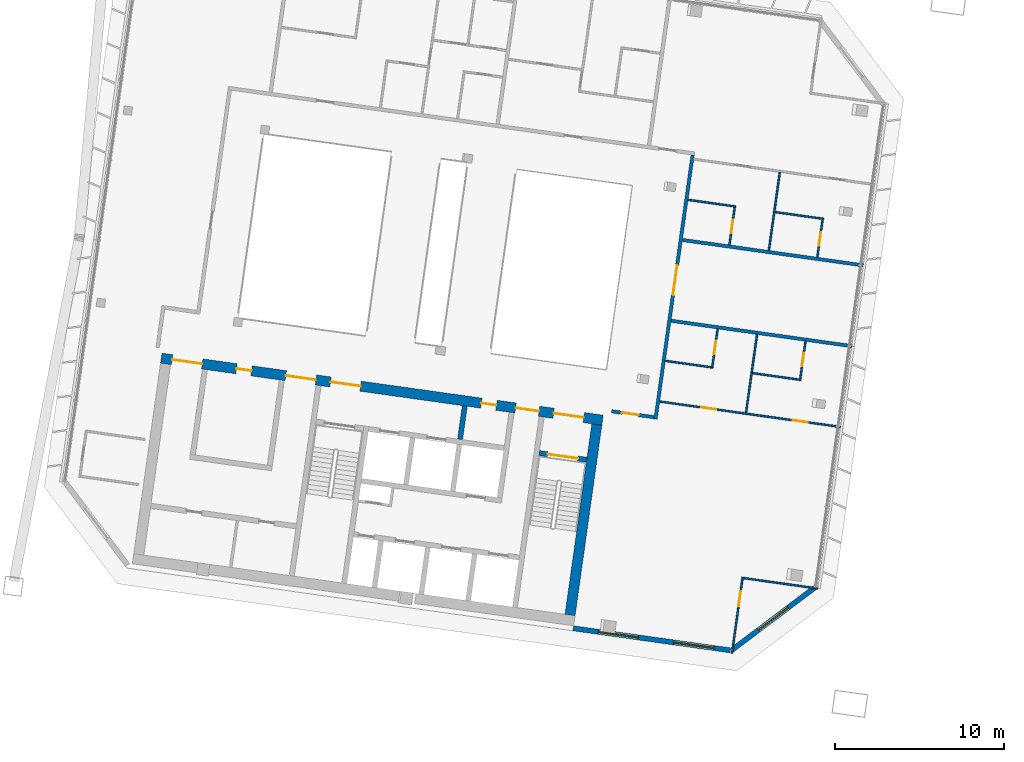
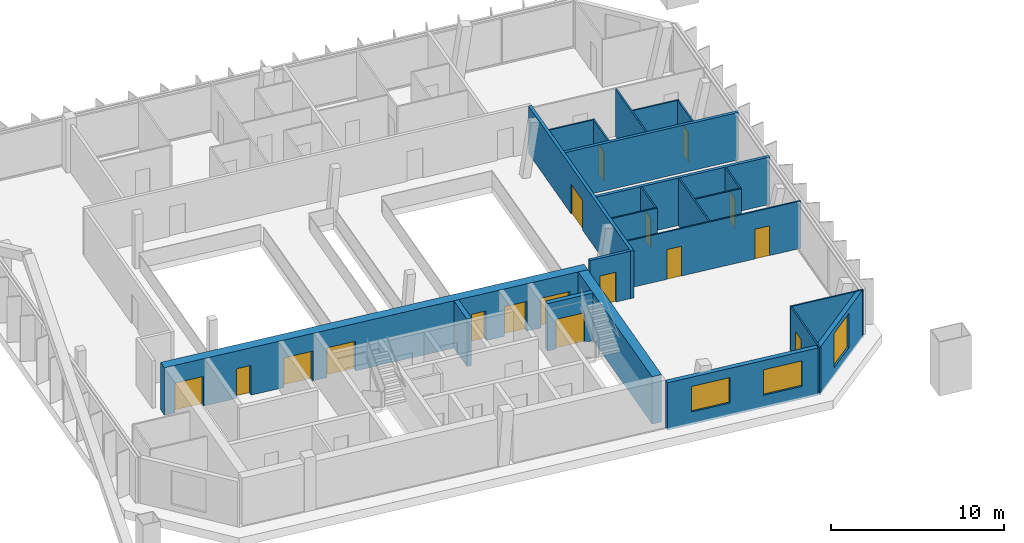
# One storey, part 12 of 19: 23 walls, 17 doors, 3 windows, 20 openings.
"""IFC4 building model written with IfcOpenShell, lengths in metres."""

import ifcopenshell
import ifcopenshell.guid

model = None  # the IFC model being written
_history = None  # IfcOwnerHistory: only IFC2X3 demands one
_inside = {}  # id of a spatial element -> (the spatial element, [elements in it])
_under = {}  # id of a project, library or spatial element -> (it, [spatial elements below it])
_declared = {}  # id of a project -> (the project, [libraries it declares])
_typed = {}  # id of a type object -> (the type object, [elements of that type])
_made_of = {}  # id of a material, layer set ... -> (it, [elements and type objects made of it])


def new_model(schema):
    """Start an empty IFC model of exactly this schema.

    Asked for "IFC4X3", IfcOpenShell would pick the latest addendum, in which some entities
    have other attributes; the version numbers below select the first issue.
    IFC2X3 requires an IfcOwnerHistory on every rooted entity: one is made here for all.
    """
    global model, _history
    if schema == "IFC4X3":
        model = ifcopenshell.file(schema_version=(4, 3, 0, 0))
    else:
        model = ifcopenshell.file(schema=schema)
    _inside.clear()
    _under.clear()
    _declared.clear()
    _typed.clear()
    _made_of.clear()
    _history = None
    if model.schema == "IFC2X3":
        org = make("IfcOrganization", Name="unknown")
        user = make(
            "IfcPersonAndOrganization",
            ThePerson=make("IfcPerson", FamilyName="unknown"),
            TheOrganization=org,
        )
        app = make(
            "IfcApplication",
            ApplicationDeveloper=org,
            Version="unknown",
            ApplicationFullName="unknown",
            ApplicationIdentifier="unknown",
        )
        _history = make(
            "IfcOwnerHistory",
            OwningUser=user,
            OwningApplication=app,
            ChangeAction="ADDED",
            CreationDate=0,
        )
    return model


def make(cls, **values):
    """One entity of the class cls with the attributes given. An attribute that is None is left unset."""
    return model.create_entity(
        cls, **{name: value for name, value in values.items() if value is not None}
    )


def rooted(cls, **values):
    """An entity with a GlobalId (a new one), such as an element, a storey or a relation."""
    return make(cls, GlobalId=ifcopenshell.guid.new(), OwnerHistory=_history, **values)


def si_unit(unit_type, name, prefix=None):
    """IfcSIUnit, for example si_unit("LENGTHUNIT", "METRE", prefix="MILLI")."""
    return make("IfcSIUnit", UnitType=unit_type, Prefix=prefix, Name=name)


def assignment(units):
    """IfcUnitAssignment: the units of a project."""
    return None if units is None else make("IfcUnitAssignment", Units=units)


def point(xyz):
    """IfcCartesianPoint."""
    return None if xyz is None else make("IfcCartesianPoint", Coordinates=xyz)


def direction(xyz):
    """IfcDirection."""
    return None if xyz is None else make("IfcDirection", DirectionRatios=xyz)


def frame(location, z_axis=None, x_axis=None):
    """IfcAxis2Placement3D, a coordinate frame: its origin and axes. An axis left out is left unset."""
    return make(
        "IfcAxis2Placement3D",
        Location=point(location),
        Axis=direction(z_axis),
        RefDirection=direction(x_axis),
    )


def frame_2d(location, x_axis=None):
    """IfcAxis2Placement2D, a coordinate frame in the plane: its origin and x axis."""
    return make(
        "IfcAxis2Placement2D", Location=point(location), RefDirection=direction(x_axis)
    )


def origin():
    """The frame at (0, 0, 0) with its axes left unset."""
    return frame((0.0, 0.0, 0.0))


def place(relative_to, where):
    """IfcLocalPlacement: puts the frame where relative to a parent placement (None: the world)."""
    return make(
        "IfcLocalPlacement", PlacementRelTo=relative_to, RelativePlacement=where
    )


def context(
    kind, dimensions, precision=None, world=None, true_north=None, identifier=None
):
    """IfcGeometricRepresentationContext, for example the 3D "Model" context."""
    return make(
        "IfcGeometricRepresentationContext",
        ContextIdentifier=identifier,
        ContextType=kind,
        CoordinateSpaceDimension=dimensions,
        Precision=precision,
        WorldCoordinateSystem=world,
        TrueNorth=true_north,
    )


def subcontext(parent, identifier, kind, view, scale=None):
    """IfcGeometricRepresentationSubContext, for example "Body" below "Model"."""
    return make(
        "IfcGeometricRepresentationSubContext",
        ContextIdentifier=identifier,
        ContextType=kind,
        ParentContext=parent,
        TargetScale=scale,
        TargetView=view,
    )


def project(units=None, contexts=None):
    """IfcProject with its units and contexts."""
    return rooted(
        "IfcProject",
        Name="project",
        RepresentationContexts=contexts,
        UnitsInContext=assignment(units),
    )


def spatial(cls, under=None, at=None, **own):
    """A site, building, storey or space (cls), placed at a placement, below another one or the project."""
    s = rooted(cls, ObjectPlacement=at, **own)
    if under is not None:
        _under.setdefault(under.id(), (under, []))[1].append(s)
    return s


def profile(cls, at=None, kind="AREA", **sizes):
    """A parametric profile (cls). Its sizes go by their IFC names, for example OverallWidth=200.0."""
    return make(cls, ProfileType=kind, Position=at, **sizes)


def rectangle(**sizes):
    """IfcRectangleProfileDef."""
    return profile("IfcRectangleProfileDef", **sizes)


def extrude(swept, where, along, depth):
    """IfcExtrudedAreaSolid: the profile swept, set in the frame where, extruded along a direction by depth."""
    return make(
        "IfcExtrudedAreaSolid",
        SweptArea=swept,
        Position=where,
        ExtrudedDirection=direction(along),
        Depth=depth,
    )


def shape(context_of_items, identifier, shape_type, items):
    """IfcShapeRepresentation: the items that make up one representation, for example the "Body"."""
    return make(
        "IfcShapeRepresentation",
        ContextOfItems=context_of_items,
        RepresentationIdentifier=identifier,
        RepresentationType=shape_type,
        Items=items,
    )


def material(Name=None, Category=None):
    """IfcMaterial."""
    return make("IfcMaterial", Name=Name, Category=Category)


def layer(
    of_material, thickness, ventilated=None, Name=None, Category=None, Priority=None
):
    """IfcMaterialLayer: one layer of a wall or slab, of a material (None: an air gap)."""
    return make(
        "IfcMaterialLayer",
        Material=of_material,
        LayerThickness=thickness,
        IsVentilated=ventilated,
        Name=Name,
        Category=Category,
        Priority=Priority,
    )


def layer_set(layers, Name=None):
    """IfcMaterialLayerSet."""
    return make("IfcMaterialLayerSet", MaterialLayers=layers, LayerSetName=Name)


def made_of(thing, what):
    """Note that an element or type object is made of a material, layer set ...; save() writes the relation."""
    if what is not None:
        _made_of.setdefault(what.id(), (what, []))[1].append(thing)
    return thing


def type_object(cls, material=None, **own):
    """A type object (cls), such as IfcWallType, which elements share."""
    return made_of(rooted(cls, **own), material)


def element(
    cls,
    number,
    at=None,
    inside=None,
    cuts=None,
    type_object=None,
    material=None,
    context=None,
    identifier="Body",
    shape_type=None,
    held_by="IfcProductDefinitionShape",
    body=None,
    shapes=None,
    **own,
):
    """One element of the class cls, such as IfcWall. Its Tag is "e" and its number.

    at: its placement. inside: the storey or other place that contains it. cuts: it is an
    opening in that element (IfcRelVoidsElement). A single representation is given by context,
    identifier, shape_type and body (its items); several are given by shapes. held_by: the class
    of the entity that holds the representations. save() writes the other relations.
    """
    e = rooted(cls, Tag="e%d" % number, ObjectPlacement=at, **own)
    if body is not None:
        shapes = [shape(context, identifier, shape_type, body)]
    if shapes is not None:
        e.Representation = make(held_by, Representations=shapes)
    if inside is not None:
        _inside.setdefault(inside.id(), (inside, []))[1].append(e)
    if cuts is not None:
        rooted(
            "IfcRelVoidsElement", RelatingBuildingElement=cuts, RelatedOpeningElement=e
        )
    if type_object is not None:
        _typed.setdefault(type_object.id(), (type_object, []))[1].append(e)
    return made_of(e, material)


def fill(opening, filler):
    """IfcRelFillsElement: the door or window that sits in an opening."""
    return rooted(
        "IfcRelFillsElement",
        RelatingOpeningElement=opening,
        RelatedBuildingElement=filler,
    )


def aggregate(whole, parts):
    """IfcRelAggregates: a whole, such as a stair, and the parts it consists of."""
    return rooted("IfcRelAggregates", RelatingObject=whole, RelatedObjects=parts)


def save(model, path):
    """Write the relations noted so far, then the file.

    IfcRelAggregates (storeys below a building ...), IfcRelContainedInSpatialStructure (elements
    in a storey), IfcRelDefinesByType, IfcRelAssociatesMaterial and IfcRelDeclares: one each for
    every whole, place, type object, material and project.
    """
    for whole, parts in _under.values():
        aggregate(whole, parts)
    for where, things in _inside.values():
        rooted(
            "IfcRelContainedInSpatialStructure",
            RelatedElements=things,
            RelatingStructure=where,
        )
    for kind, things in _typed.values():
        rooted("IfcRelDefinesByType", RelatedObjects=things, RelatingType=kind)
    for what, things in _made_of.values():
        rooted("IfcRelAssociatesMaterial", RelatedObjects=things, RelatingMaterial=what)
    for by, libraries in _declared.values():
        rooted("IfcRelDeclares", RelatingContext=by, RelatedDefinitions=libraries)
    model.write(path)


model = new_model("IFC4")

# Units and contexts
model_context = context("Model", 3, precision=1e-05, world=origin(), true_north=direction((0.0, 1.0)))
body_context = subcontext(model_context, "Body", "Model", "MODEL_VIEW")
ifc_project = project(units=[si_unit("LENGTHUNIT", "METRE"), si_unit("AREAUNIT", "SQUARE_METRE"), si_unit("VOLUMEUNIT", "CUBIC_METRE"), si_unit("PLANEANGLEUNIT", "RADIAN"), si_unit("MASSUNIT", "GRAM", prefix="KILO")], contexts=[model_context])

# Site, building, storey
site_placement = place(None, origin())
site = spatial("IfcSite", under=ifc_project, at=site_placement, CompositionType="ELEMENT")
building_placement = place(site_placement, origin())
building = spatial("IfcBuilding", under=site, at=building_placement, Name="Mirante Cascada Hotel Towers", CompositionType="ELEMENT")
storey_placement = place(building_placement, frame((0.0, 0.0, 239.4)))
storey = spatial("IfcBuildingStorey", under=building, at=storey_placement, Name="L57", CompositionType="ELEMENT", Elevation=239.4)

# Wall, opening, door
ifc_material_1 = material(Name="Fire-rated plasterboard on metal studs")
ifc_layer_1 = layer(ifc_material_1, 0.2)
ifc_layer_set_1 = layer_set([ifc_layer_1], Name="Compartment wall 200 EI 120")
wall_type_1 = type_object("IfcWallType", Name="Compartment wall 200 EI 120", PredefinedType="PARTITIONING", material=ifc_layer_set_1)
wall_1_placement = place(storey_placement, frame((-32.5897, -7.493, 0.0), z_axis=(0.0, 0.0, 1.0), x_axis=(-0.9902684, 0.1391709, 0.0)))
wall_1 = element("IfcWall", 1, at=wall_1_placement, inside=storey, type_object=wall_type_1, Name="Wall 1-L57-04", PredefinedType="PARTITIONING", context=body_context, shape_type="SweptSolid", body=[
    extrude(rectangle(XDim=2.5386, YDim=0.2, at=frame_2d((1.2693, 0.0))), origin(), (0.0, 0.0, 1.0), 3.35),
])
opening_1_placement = place(wall_1_placement, frame((0.9193, 0.0, 0.0)))
opening_1 = element("IfcOpeningElement", 2, at=opening_1_placement, cuts=wall_1, Name="Opening D1-L57-01", PredefinedType="OPENING", context=body_context, shape_type="SweptSolid", body=[
    extrude(rectangle(XDim=1.0, YDim=2.1, at=frame_2d((0.5, 1.05))), frame((0.0, 0.1, 0.0), z_axis=(0.0, -1.0, 0.0), x_axis=(1.0, 0.0, 0.0)), (0.0, 0.0, 1.0), 0.2),
])
ifc_material_2 = material(Name="Fire-rated timber door leaf", Category="wood")
door_type_1 = type_object("IfcDoorType", Name="Entrance door DG1 1000x2100 EI 60", OperationType="SINGLE_SWING_LEFT", PredefinedType="DOOR", material=ifc_material_2)
door_1_placement = place(opening_1_placement, origin())
door_1 = element("IfcDoor", 3, at=door_1_placement, inside=storey, type_object=door_type_1, Name="Door D1-L57-01", OperationType="SINGLE_SWING_LEFT", OverallHeight=2.1, OverallWidth=1.0, PredefinedType="DOOR", context=body_context, shape_type="SweptSolid", body=[
    extrude(rectangle(XDim=1.0, YDim=2.1, at=frame_2d((0.5, 1.05))), frame((0.0, 0.025, 0.0), z_axis=(0.0, -1.0, 0.0), x_axis=(1.0, 0.0, 0.0)), (0.0, 0.0, 1.0), 0.05),
])
fill(opening_1, door_1)

# Walls
for number, where, z_axis, x_axis, name in (
    (4, (-31.5844, -1.7773, 0.0), (0.0, 0.0, 1.0), (0.9902678, -0.1391751, 0.0), "Wall 1-L57-09"),
    (5, (-20.2018, 1.5038, 0.0), (0.0, 0.0, 1.0), (-0.9902692, 0.1391647, 0.0), "Wall 1-L57-10"),
):
    element("IfcWall", number, at=place(storey_placement, frame(where, z_axis=z_axis, x_axis=x_axis)), inside=storey, type_object=wall_type_1, Name=name, PredefinedType="PARTITIONING", context=body_context, shape_type="SweptSolid", body=[
        extrude(rectangle(XDim=10.8152, YDim=0.2, at=frame_2d((5.4076, 0.0))), origin(), (0.0, 0.0, 1.0), 3.35),
    ])

# Wall, opening, door
wall_2_placement = place(storey_placement, frame((-32.5046, -7.606, 0.0), z_axis=(0.0, 0.0, 1.0), x_axis=(0.1391774, 0.9902675, 0.0)))
wall_2 = element("IfcWall", 6, at=wall_2_placement, inside=storey, type_object=wall_type_1, Name="Wall 1-L57-32", PredefinedType="PARTITIONING", context=body_context, shape_type="SweptSolid", body=[
    extrude(rectangle(XDim=15.8, YDim=0.2, at=frame_2d((7.9, 0.0))), origin(), (0.0, 0.0, 1.0), 3.35),
])
opening_2_placement = place(wall_2_placement, frame((7.4167, 0.0, 0.0)))
opening_2 = element("IfcOpeningElement", 7, at=opening_2_placement, cuts=wall_2, Name="Opening D1-L57-22", PredefinedType="OPENING", context=body_context, shape_type="SweptSolid", body=[
    extrude(rectangle(XDim=1.8, YDim=2.1, at=frame_2d((0.9, 1.05))), frame((0.0, 0.1, 0.0), z_axis=(0.0, -1.0, 0.0), x_axis=(1.0, 0.0, 0.0)), (0.0, 0.0, 1.0), 0.2),
])
ifc_material_3 = material(Name="Fire-rated timber door leaf", Category="wood")
door_type_2 = type_object("IfcDoorType", Name="Suite double door DG2 1800x2100 EI 60", OperationType="DOUBLE_DOOR_SINGLE_SWING", PredefinedType="DOOR", material=ifc_material_3)
door_2_placement = place(opening_2_placement, origin())
door_2 = element("IfcDoor", 8, at=door_2_placement, inside=storey, type_object=door_type_2, Name="Door D1-L57-22", OperationType="DOUBLE_DOOR_SINGLE_SWING", OverallHeight=2.1, OverallWidth=1.8, PredefinedType="DOOR", context=body_context, shape_type="SweptSolid", body=[
    extrude(rectangle(XDim=0.895, YDim=2.1, at=frame_2d((0.4475, 1.05))), frame((0.0, 0.025, 0.0), z_axis=(0.0, -1.0, 0.0), x_axis=(1.0, 0.0, 0.0)), (0.0, 0.0, 1.0), 0.05),
    extrude(rectangle(XDim=0.895, YDim=2.1, at=frame_2d((1.3525, 1.05))), frame((0.0, 0.025, 0.0), z_axis=(0.0, -1.0, 0.0), x_axis=(1.0, 0.0, 0.0)), (0.0, 0.0, 1.0), 0.05),
])
fill(opening_2, door_2)

# Walls
ifc_material_4 = material(Name="Masonry block", Category="masonry")
ifc_layer_2 = layer(ifc_material_4, 0.3)
ifc_layer_set_2 = layer_set([ifc_layer_2], Name="Core wall 300 block EI 120")
wall_type_2 = type_object("IfcWallType", Name="Core wall 300 block EI 120", PredefinedType="PARTITIONING", material=ifc_layer_set_2)
wall_3_placement = place(storey_placement, frame((-44.0843, -8.8061, 0.0), z_axis=(0.0, 0.0, 1.0), x_axis=(0.1391951, 0.990265, 0.0)))
element("IfcWall", 9, at=wall_3_placement, inside=storey, type_object=wall_type_2, Name="Core wall partition T1 L57 1", PredefinedType="PARTITIONING", context=body_context, shape_type="SweptSolid", body=[
    extrude(rectangle(XDim=2.0001, YDim=0.3, at=frame_2d((1.0001, 0.0))), origin(), (0.0, 0.0, 1.0), 3.35),
])
ifc_material_5 = material(Name="Plasterboard on metal studs")
ifc_layer_3 = layer(ifc_material_5, 0.1)
ifc_layer_set_3 = layer_set([ifc_layer_3], Name="Partition 100")
wall_type_3 = type_object("IfcWallType", Name="Partition 100", PredefinedType="PARTITIONING", material=ifc_layer_set_3)
wall_4_placement = place(storey_placement, frame((-27.3982, -17.0082, 0.0), z_axis=(0.0, 0.0, 1.0), x_axis=(0.9902691, -0.1391656, 0.0)))
element("IfcWall", 10, at=wall_4_placement, inside=storey, type_object=wall_type_3, Name="Wall 1-L57-01", PredefinedType="PARTITIONING", context=body_context, shape_type="SweptSolid", body=[
    extrude(rectangle(XDim=4.55, YDim=0.1, at=frame_2d((2.275, 0.0))), origin(), (0.0, 0.0, 1.0), 3.35),
])

# Wall, openings, doors
wall_5_placement = place(storey_placement, frame((-32.2571, -6.5636, 0.0), z_axis=(0.0, 0.0, 1.0), x_axis=(0.990268, -0.1391738, 0.0)))
wall_5 = element("IfcWall", 11, at=wall_5_placement, inside=storey, type_object=wall_type_3, Name="Wall 1-L57-05", PredefinedType="PARTITIONING", context=body_context, shape_type="SweptSolid", body=[
    extrude(rectangle(XDim=10.8153, YDim=0.1, at=frame_2d((5.4076, 0.0))), origin(), (0.0, 0.0, 1.0), 3.35),
])
opening_3_placement = place(wall_5_placement, frame((7.9652, 0.0, 0.0)))
opening_3 = element("IfcOpeningElement", 12, at=opening_3_placement, cuts=wall_5, Name="Opening D1-L57-02", PredefinedType="OPENING", context=body_context, shape_type="SweptSolid", body=[
    extrude(rectangle(XDim=0.9, YDim=2.1, at=frame_2d((0.45, 1.05))), frame((0.0, 0.05, 0.0), z_axis=(0.0, -1.0, 0.0), x_axis=(1.0, 0.0, 0.0)), (0.0, 0.0, 1.0), 0.1),
])
opening_4_placement = place(wall_5_placement, frame((2.4788, 0.0, 0.0)))
opening_4 = element("IfcOpeningElement", 13, at=opening_4_placement, cuts=wall_5, Name="Opening D1-L57-03", PredefinedType="OPENING", context=body_context, shape_type="SweptSolid", body=[
    extrude(rectangle(XDim=0.9, YDim=2.1, at=frame_2d((0.45, 1.05))), frame((0.0, 0.05, 0.0), z_axis=(0.0, -1.0, 0.0), x_axis=(1.0, 0.0, 0.0)), (0.0, 0.0, 1.0), 0.1),
])
ifc_material_6 = material(Name="Timber door leaf", Category="wood")
door_type_3 = type_object("IfcDoorType", Name="Room door DG3 900x2100", OperationType="SINGLE_SWING_LEFT", PredefinedType="DOOR", material=ifc_material_6)
door_3_placement = place(opening_3_placement, frame((0.9, 0.0, 0.0), z_axis=(0.0, 0.0, 1.0), x_axis=(-1.0, 0.0, 0.0)))
door_3 = element("IfcDoor", 14, at=door_3_placement, inside=storey, type_object=door_type_3, Name="Door D1-L57-02", OperationType="SINGLE_SWING_RIGHT", OverallHeight=2.1, OverallWidth=0.9, PredefinedType="DOOR", context=body_context, shape_type="SweptSolid", body=[
    extrude(rectangle(XDim=0.9, YDim=2.1, at=frame_2d((0.45, 1.05))), frame((0.0, 0.025, 0.0), z_axis=(0.0, -1.0, 0.0), x_axis=(1.0, 0.0, 0.0)), (0.0, 0.0, 1.0), 0.05),
])
fill(opening_3, door_3)
door_4_placement = place(opening_4_placement, frame((0.9, 0.0, 0.0), z_axis=(0.0, 0.0, 1.0), x_axis=(-1.0, 0.0, 0.0)))
door_4 = element("IfcDoor", 15, at=door_4_placement, inside=storey, type_object=door_type_3, Name="Door D1-L57-03", OperationType="SINGLE_SWING_RIGHT", OverallHeight=2.1, OverallWidth=0.9, PredefinedType="DOOR", context=body_context, shape_type="SweptSolid", body=[
    extrude(rectangle(XDim=0.9, YDim=2.1, at=frame_2d((0.45, 1.05))), frame((0.0, 0.025, 0.0), z_axis=(0.0, -1.0, 0.0), x_axis=(1.0, 0.0, 0.0)), (0.0, 0.0, 1.0), 0.05),
])
fill(opening_4, door_4)

# Walls
wall_6_placement = place(storey_placement, frame((-26.7615, -4.8787, 0.0), z_axis=(0.0, 0.0, 1.0), x_axis=(0.9902683, -0.1391714, 0.0)))
element("IfcWall", 16, at=wall_6_placement, inside=storey, type_object=wall_type_3, Name="Wall 1-L57-07", PredefinedType="PARTITIONING", context=body_context, shape_type="SweptSolid", body=[
    extrude(rectangle(XDim=2.9, YDim=0.1, at=frame_2d((1.45, 0.0))), origin(), (0.0, 0.0, 1.0), 3.35),
])
wall_7_placement = place(storey_placement, frame((-29.0962, -4.5506, 0.0), z_axis=(0.0, 0.0, 1.0), x_axis=(-0.9902697, 0.1391613, 0.0)))
element("IfcWall", 17, at=wall_7_placement, inside=storey, type_object=wall_type_3, Name="Wall 1-L57-08", PredefinedType="PARTITIONING", context=body_context, shape_type="SweptSolid", body=[
    extrude(rectangle(XDim=2.8499, YDim=0.1, at=frame_2d((1.425, 0.0))), origin(), (0.0, 0.0, 1.0), 3.35),
])
wall_8_placement = place(storey_placement, frame((-25.4208, 4.6608, 0.0), z_axis=(0.0, 0.0, 1.0), x_axis=(0.9902676, -0.1391761, 0.0)))
element("IfcWall", 18, at=wall_8_placement, inside=storey, type_object=wall_type_3, Name="Wall 1-L57-11", PredefinedType="PARTITIONING", context=body_context, shape_type="SweptSolid", body=[
    extrude(rectangle(XDim=2.8999, YDim=0.1, at=frame_2d((1.45, 0.0))), origin(), (0.0, 0.0, 1.0), 3.35),
])
wall_9_placement = place(storey_placement, frame((-27.7555, 4.9889, 0.0), z_axis=(0.0, 0.0, 1.0), x_axis=(-0.9902649, 0.1391957, 0.0)))
element("IfcWall", 19, at=wall_9_placement, inside=storey, type_object=wall_type_3, Name="Wall 1-L57-12", PredefinedType="PARTITIONING", context=body_context, shape_type="SweptSolid", body=[
    extrude(rectangle(XDim=2.8499, YDim=0.1, at=frame_2d((1.425, 0.0))), origin(), (0.0, 0.0, 1.0), 3.35),
])

# Wall, opening, door
wall_10_placement = place(storey_placement, frame((-23.9323, -5.2259, 0.0), z_axis=(0.0, 0.0, 1.0), x_axis=(0.1391561, 0.9902705, 0.0)))
wall_10 = element("IfcWall", 20, at=wall_10_placement, inside=storey, type_object=wall_type_3, Name="Wall 1-L57-24", PredefinedType="PARTITIONING", context=body_context, shape_type="SweptSolid", body=[
    extrude(rectangle(XDim=2.25, YDim=0.1, at=frame_2d((1.125, 0.0))), origin(), (0.0, 0.0, 1.0), 3.35),
])
opening_5_placement = place(wall_10_placement, frame((0.75, 0.0, 0.0)))
opening_5 = element("IfcOpeningElement", 21, at=opening_5_placement, cuts=wall_10, Name="Opening D1-L57-16", PredefinedType="OPENING", context=body_context, shape_type="SweptSolid", body=[
    extrude(rectangle(XDim=0.8, YDim=2.1, at=frame_2d((0.4, 1.05))), frame((0.0, 0.05, 0.0), z_axis=(0.0, -1.0, 0.0), x_axis=(1.0, 0.0, 0.0)), (0.0, 0.0, 1.0), 0.1),
])
ifc_material_7 = material(Name="Timber door leaf", Category="wood")
door_type_4 = type_object("IfcDoorType", Name="Bathroom door DG4 800x2100", OperationType="SINGLE_SWING_LEFT", PredefinedType="DOOR", material=ifc_material_7)
door_5_placement = place(opening_5_placement, origin())
door_5 = element("IfcDoor", 22, at=door_5_placement, inside=storey, type_object=door_type_4, Name="Door D1-L57-16", OperationType="SINGLE_SWING_LEFT", OverallHeight=2.1, OverallWidth=0.8, PredefinedType="DOOR", context=body_context, shape_type="SweptSolid", body=[
    extrude(rectangle(XDim=0.8, YDim=2.1, at=frame_2d((0.4, 1.05))), frame((0.0, 0.025, 0.0), z_axis=(0.0, -1.0, 0.0), x_axis=(1.0, 0.0, 0.0)), (0.0, 0.0, 1.0), 0.05),
])
fill(opening_5, door_5)

wall_11_placement = place(storey_placement, frame((-22.6055, 4.2147, 0.0), z_axis=(0.0, 0.0, 1.0), x_axis=(-0.1391997, -0.9902643, 0.0)))
wall_11 = element("IfcWall", 23, at=wall_11_placement, inside=storey, type_object=wall_type_3, Name="Wall 1-L57-25", PredefinedType="PARTITIONING", context=body_context, shape_type="SweptSolid", body=[
    extrude(rectangle(XDim=2.25, YDim=0.1, at=frame_2d((1.125, 0.0))), origin(), (0.0, 0.0, 1.0), 3.35),
])
opening_6_placement = place(wall_11_placement, frame((0.75, 0.0, 0.0)))
opening_6 = element("IfcOpeningElement", 24, at=opening_6_placement, cuts=wall_11, Name="Opening D1-L57-17", PredefinedType="OPENING", context=body_context, shape_type="SweptSolid", body=[
    extrude(rectangle(XDim=0.8, YDim=2.1, at=frame_2d((0.4, 1.05))), frame((0.0, 0.05, 0.0), z_axis=(0.0, -1.0, 0.0), x_axis=(1.0, 0.0, 0.0)), (0.0, 0.0, 1.0), 0.1),
])
door_6_placement = place(opening_6_placement, frame((0.8, 0.0, 0.0), z_axis=(0.0, 0.0, 1.0), x_axis=(-1.0, 0.0, 0.0)))
door_6 = element("IfcDoor", 25, at=door_6_placement, inside=storey, type_object=door_type_4, Name="Door D1-L57-17", OperationType="SINGLE_SWING_RIGHT", OverallHeight=2.1, OverallWidth=0.8, PredefinedType="DOOR", context=body_context, shape_type="SweptSolid", body=[
    extrude(rectangle(XDim=0.8, YDim=2.1, at=frame_2d((0.4, 1.05))), frame((0.0, 0.025, 0.0), z_axis=(0.0, -1.0, 0.0), x_axis=(1.0, 0.0, 0.0)), (0.0, 0.0, 1.0), 0.05),
])
fill(opening_6, door_6)

wall_12_placement = place(storey_placement, frame((-27.975, -21.4713, 0.0), z_axis=(0.0, 0.0, 1.0), x_axis=(0.1391684, 0.9902687, 0.0)))
wall_12 = element("IfcWall", 26, at=wall_12_placement, inside=storey, type_object=wall_type_3, Name="Wall 1-L57-26", PredefinedType="PARTITIONING", context=body_context, shape_type="SweptSolid", body=[
    extrude(rectangle(XDim=4.45, YDim=0.1, at=frame_2d((2.225, 0.0))), origin(), (0.0, 0.0, 1.0), 3.35),
])
opening_7_placement = place(wall_12_placement, frame((2.8, 0.0, 0.0)))
opening_7 = element("IfcOpeningElement", 27, at=opening_7_placement, cuts=wall_12, Name="Opening D1-L57-18", PredefinedType="OPENING", context=body_context, shape_type="SweptSolid", body=[
    extrude(rectangle(XDim=0.9, YDim=2.1, at=frame_2d((0.45, 1.05))), frame((0.0, 0.05, 0.0), z_axis=(0.0, -1.0, 0.0), x_axis=(1.0, 0.0, 0.0)), (0.0, 0.0, 1.0), 0.1),
])
door_7_placement = place(opening_7_placement, origin())
door_7 = element("IfcDoor", 28, at=door_7_placement, inside=storey, type_object=door_type_3, Name="Door D1-L57-18", OperationType="SINGLE_SWING_LEFT", OverallHeight=2.1, OverallWidth=0.9, PredefinedType="DOOR", context=body_context, shape_type="SweptSolid", body=[
    extrude(rectangle(XDim=0.9, YDim=2.1, at=frame_2d((0.45, 1.05))), frame((0.0, 0.025, 0.0), z_axis=(0.0, -1.0, 0.0), x_axis=(1.0, 0.0, 0.0)), (0.0, 0.0, 1.0), 0.05),
])
fill(opening_7, door_7)

# Walls
for number, where, z_axis, x_axis, name in (
    (29, (-27.1427, -7.2319, 0.0), (0.0, 0.0, 1.0), (0.139173, 0.9902681, 0.0), "Wall 1-L57-28"),
    (30, (-25.1386, 7.028, 0.0), (0.0, 0.0, 1.0), (-0.139173, -0.9902681, 0.0), "Wall 1-L57-29"),
):
    element("IfcWall", number, at=place(storey_placement, frame(where, z_axis=z_axis, x_axis=x_axis)), inside=storey, type_object=wall_type_3, Name=name, PredefinedType="PARTITIONING", context=body_context, shape_type="SweptSolid", body=[
        extrude(rectangle(XDim=4.6834, YDim=0.1, at=frame_2d((2.3417, 0.0))), origin(), (0.0, 0.0, 1.0), 3.35),
    ])

# Wall, opening, door
wall_13_placement = place(storey_placement, frame((-29.1387, -4.4941, 0.0), z_axis=(0.0, 0.0, 1.0), x_axis=(0.1391561, 0.9902705, 0.0)))
wall_13 = element("IfcWall", 31, at=wall_13_placement, inside=storey, type_object=wall_type_3, Name="Wall 1-L57-30", PredefinedType="PARTITIONING", context=body_context, shape_type="SweptSolid", body=[
    extrude(rectangle(XDim=2.25, YDim=0.1, at=frame_2d((1.125, 0.0))), origin(), (0.0, 0.0, 1.0), 3.35),
])
opening_8_placement = place(wall_13_placement, frame((0.75, 0.0, 0.0)))
opening_8 = element("IfcOpeningElement", 32, at=opening_8_placement, cuts=wall_13, Name="Opening D1-L57-20", PredefinedType="OPENING", context=body_context, shape_type="SweptSolid", body=[
    extrude(rectangle(XDim=0.8, YDim=2.1, at=frame_2d((0.4, 1.05))), frame((0.0, 0.05, 0.0), z_axis=(0.0, -1.0, 0.0), x_axis=(1.0, 0.0, 0.0)), (0.0, 0.0, 1.0), 0.1),
])
door_8_placement = place(opening_8_placement, origin())
door_8 = element("IfcDoor", 33, at=door_8_placement, inside=storey, type_object=door_type_4, Name="Door D1-L57-20", OperationType="SINGLE_SWING_LEFT", OverallHeight=2.1, OverallWidth=0.8, PredefinedType="DOOR", context=body_context, shape_type="SweptSolid", body=[
    extrude(rectangle(XDim=0.8, YDim=2.1, at=frame_2d((0.4, 1.05))), frame((0.0, 0.025, 0.0), z_axis=(0.0, -1.0, 0.0), x_axis=(1.0, 0.0, 0.0)), (0.0, 0.0, 1.0), 0.05),
])
fill(opening_8, door_8)

wall_14_placement = place(storey_placement, frame((-27.812, 4.9464, 0.0), z_axis=(0.0, 0.0, 1.0), x_axis=(-0.1391561, -0.9902705, 0.0)))
wall_14 = element("IfcWall", 34, at=wall_14_placement, inside=storey, type_object=wall_type_3, Name="Wall 1-L57-31", PredefinedType="PARTITIONING", context=body_context, shape_type="SweptSolid", body=[
    extrude(rectangle(XDim=2.25, YDim=0.1, at=frame_2d((1.125, 0.0))), origin(), (0.0, 0.0, 1.0), 3.35),
])
opening_9_placement = place(wall_14_placement, frame((0.75, 0.0, 0.0)))
opening_9 = element("IfcOpeningElement", 35, at=opening_9_placement, cuts=wall_14, Name="Opening D1-L57-21", PredefinedType="OPENING", context=body_context, shape_type="SweptSolid", body=[
    extrude(rectangle(XDim=0.8, YDim=2.1, at=frame_2d((0.4, 1.05))), frame((0.0, 0.05, 0.0), z_axis=(0.0, -1.0, 0.0), x_axis=(1.0, 0.0, 0.0)), (0.0, 0.0, 1.0), 0.1),
])
door_9_placement = place(opening_9_placement, frame((0.8, 0.0, 0.0), z_axis=(0.0, 0.0, 1.0), x_axis=(-1.0, 0.0, 0.0)))
door_9 = element("IfcDoor", 36, at=door_9_placement, inside=storey, type_object=door_type_4, Name="Door D1-L57-21", OperationType="SINGLE_SWING_RIGHT", OverallHeight=2.1, OverallWidth=0.8, PredefinedType="DOOR", context=body_context, shape_type="SweptSolid", body=[
    extrude(rectangle(XDim=0.8, YDim=2.1, at=frame_2d((0.4, 1.05))), frame((0.0, 0.025, 0.0), z_axis=(0.0, -1.0, 0.0), x_axis=(1.0, 0.0, 0.0)), (0.0, 0.0, 1.0), 0.05),
])
fill(opening_9, door_9)

# Wall, openings, windows
ifc_material_8 = material(Name="Precast concrete C40/50", Category="concrete")
ifc_layer_4 = layer(ifc_material_8, 0.3)
ifc_layer_set_4 = layer_set([ifc_layer_4], Name="Precast concrete C40/50 cladding wall 300")
wall_type_4 = type_object("IfcWallType", Name="Precast concrete C40/50 cladding wall 300", PredefinedType="STANDARD", material=ifc_layer_set_4)
wall_15_placement = place(storey_placement, frame((-28.077, -21.3055, 0.0), z_axis=(0.0, 0.0, 1.0), x_axis=(-0.9902679, 0.1391744, 0.0)))
wall_15 = element("IfcWall", 37, at=wall_15_placement, inside=storey, type_object=wall_type_4, Name="Rear cladding wall T1 L57 1", PredefinedType="STANDARD", context=body_context, shape_type="SweptSolid", body=[
    extrude(rectangle(XDim=9.3911, YDim=0.3, at=frame_2d((4.6956, 0.0))), origin(), (0.0, 0.0, 1.0), 3.35),
])
opening_10_placement = place(wall_15_placement, frame((0.9937, 0.0, 0.9)))
opening_10 = element("IfcOpeningElement", 38, at=opening_10_placement, cuts=wall_15, Name="Opening W1-57-01", PredefinedType="OPENING", context=body_context, shape_type="SweptSolid", body=[
    extrude(rectangle(XDim=2.4, YDim=1.8, at=frame_2d((1.2, 0.9))), frame((0.0, 0.15, 0.0), z_axis=(0.0, -1.0, 0.0), x_axis=(1.0, 0.0, 0.0)), (0.0, 0.0, 1.0), 0.3),
])
opening_11_placement = place(wall_15_placement, frame((5.5051, 0.0, 0.9)))
opening_11 = element("IfcOpeningElement", 39, at=opening_11_placement, cuts=wall_15, Name="Opening W1-57-02", PredefinedType="OPENING", context=body_context, shape_type="SweptSolid", body=[
    extrude(rectangle(XDim=2.4, YDim=1.8, at=frame_2d((1.2, 0.9))), frame((0.0, 0.15, 0.0), z_axis=(0.0, -1.0, 0.0), x_axis=(1.0, 0.0, 0.0)), (0.0, 0.0, 1.0), 0.3),
])
ifc_material_9 = material(Name="Aluminium frame with clear double glazing", Category="aluminium")
window_type_1 = type_object("IfcWindowType", Name="Punched window 2400x1800", PartitioningType="DOUBLE_PANEL_VERTICAL", PredefinedType="WINDOW", material=ifc_material_9)
window_1_placement = place(opening_10_placement, origin())
window_1 = element("IfcWindow", 40, at=window_1_placement, inside=storey, type_object=window_type_1, Name="Window W1-57-01", OverallHeight=1.8, OverallWidth=2.4, PartitioningType="SINGLE_PANEL", PredefinedType="WINDOW", context=body_context, shape_type="SweptSolid", body=[
    extrude(rectangle(XDim=2.4, YDim=1.8, at=frame_2d((1.2, 0.9))), frame((0.0, 0.03, 0.0), z_axis=(0.0, -1.0, 0.0), x_axis=(1.0, 0.0, 0.0)), (0.0, 0.0, 1.0), 0.06),
])
fill(opening_10, window_1)
window_2_placement = place(opening_11_placement, origin())
window_2 = element("IfcWindow", 41, at=window_2_placement, inside=storey, type_object=window_type_1, Name="Window W1-57-02", OverallHeight=1.8, OverallWidth=2.4, PartitioningType="SINGLE_PANEL", PredefinedType="WINDOW", context=body_context, shape_type="SweptSolid", body=[
    extrude(rectangle(XDim=2.4, YDim=1.8, at=frame_2d((1.2, 0.9))), frame((0.0, 0.03, 0.0), z_axis=(0.0, -1.0, 0.0), x_axis=(1.0, 0.0, 0.0)), (0.0, 0.0, 1.0), 0.06),
])
fill(opening_11, window_2)

# Wall, opening, window
wall_16_placement = place(storey_placement, frame((-23.0819, -17.5963, 0.0), z_axis=(0.0, 0.0, 1.0), x_axis=(-0.7986362, -0.6018141, 0.0)))
wall_16 = element("IfcWall", 42, at=wall_16_placement, inside=storey, type_object=wall_type_4, Name="Corner cladding wall T1 L57 inner rear", PredefinedType="STANDARD", context=body_context, shape_type="SweptSolid", body=[
    extrude(rectangle(XDim=6.1157, YDim=0.3, at=frame_2d((3.0578, 0.0))), origin(), (0.0, 0.0, 1.0), 3.35),
])
opening_12_placement = place(wall_16_placement, frame((1.9578, 0.0, 0.6)))
opening_12 = element("IfcOpeningElement", 43, at=opening_12_placement, cuts=wall_16, Name="Opening W1-57-06", PredefinedType="OPENING", context=body_context, shape_type="SweptSolid", body=[
    extrude(rectangle(XDim=2.2, YDim=2.4, at=frame_2d((1.1, 1.2))), frame((0.0, 0.15, 0.0), z_axis=(0.0, -1.0, 0.0), x_axis=(1.0, 0.0, 0.0)), (0.0, 0.0, 1.0), 0.3),
])
ifc_material_10 = material(Name="Aluminium frame with clear double glazing", Category="aluminium")
window_type_2 = type_object("IfcWindowType", Name="Corner suite window 2200x2400", PartitioningType="DOUBLE_PANEL_VERTICAL", PredefinedType="WINDOW", material=ifc_material_10)
window_3_placement = place(opening_12_placement, origin())
window_3 = element("IfcWindow", 44, at=window_3_placement, inside=storey, type_object=window_type_2, Name="Window W1-57-06", OverallHeight=2.4, OverallWidth=2.2, PartitioningType="SINGLE_PANEL", PredefinedType="WINDOW", context=body_context, shape_type="SweptSolid", body=[
    extrude(rectangle(XDim=2.2, YDim=2.4, at=frame_2d((1.1, 1.2))), frame((0.0, 0.03, 0.0), z_axis=(0.0, -1.0, 0.0), x_axis=(1.0, 0.0, 0.0)), (0.0, 0.0, 1.0), 0.06),
])
fill(opening_12, window_3)

# Wall, opening, door
ifc_material_11 = material(Name="Concrete C50/60", Category="concrete")
ifc_layer_5 = layer(ifc_material_11, 0.3)
ifc_layer_set_5 = layer_set([ifc_layer_5], Name="RC core wall 300 C50/60")
wall_type_5 = type_object("IfcWallType", Name="RC core wall 300 C50/60", PredefinedType="SHEAR", material=ifc_layer_set_5)
wall_17_placement = place(storey_placement, frame((-36.5791, -10.0123, 0.0), z_axis=(0.0, 0.0, 1.0), x_axis=(-0.9902704, 0.1391564, 0.0)))
wall_17 = element("IfcWall", 45, at=wall_17_placement, inside=storey, type_object=wall_type_5, Name="Core wall T1:L57:8", PredefinedType="SHEAR", context=body_context, shape_type="SweptSolid", body=[
    extrude(rectangle(XDim=2.85, YDim=0.3, at=frame_2d((1.425, 0.0))), origin(), (0.0, 0.0, 1.0), 3.35),
])
opening_13_placement = place(wall_17_placement, frame((0.525, 0.0, 0.0)))
opening_13 = element("IfcOpeningElement", 46, at=opening_13_placement, cuts=wall_17, Name="Opening D1-57-C07", PredefinedType="OPENING", context=body_context, shape_type="SweptSolid", body=[
    extrude(rectangle(XDim=1.8, YDim=2.1, at=frame_2d((0.9, 1.05))), frame((0.0, 0.15, 0.0), z_axis=(0.0, -1.0, 0.0), x_axis=(1.0, 0.0, 0.0)), (0.0, 0.0, 1.0), 0.3),
])
ifc_material_12 = material(Name="Hollow metal fire door leaf")
door_type_5 = type_object("IfcDoorType", Name="Double fire door 1800x2100 FD60", OperationType="DOUBLE_DOOR_SINGLE_SWING", PredefinedType="DOOR", material=ifc_material_12)
door_10_placement = place(opening_13_placement, origin())
door_10 = element("IfcDoor", 47, at=door_10_placement, inside=storey, type_object=door_type_5, Name="Stair door T1 L57 7", OperationType="DOUBLE_DOOR_SINGLE_SWING", OverallHeight=2.1, OverallWidth=1.8, PredefinedType="DOOR", context=body_context, shape_type="SweptSolid", body=[
    extrude(rectangle(XDim=0.895, YDim=2.1, at=frame_2d((0.4475, 1.05))), frame((0.0, 0.025, 0.0), z_axis=(0.0, -1.0, 0.0), x_axis=(1.0, 0.0, 0.0)), (0.0, 0.0, 1.0), 0.05),
    extrude(rectangle(XDim=0.895, YDim=2.1, at=frame_2d((1.3525, 1.05))), frame((0.0, 0.025, 0.0), z_axis=(0.0, -1.0, 0.0), x_axis=(1.0, 0.0, 0.0)), (0.0, 0.0, 1.0), 0.05),
])
fill(opening_13, door_10)

# Wall, openings, doors
ifc_material_13 = material(Name="Concrete C50/60", Category="concrete")
ifc_layer_6 = layer(ifc_material_13, 0.6)
ifc_layer_set_6 = layer_set([ifc_layer_6], Name="RC core wall 600 C50/60")
wall_type_6 = type_object("IfcWallType", Name="RC core wall 600 C50/60", PredefinedType="SHEAR", material=ifc_layer_set_6)
wall_18_placement = place(storey_placement, frame((-35.644, -7.6697, 0.0), z_axis=(0.0, 0.0, 1.0), x_axis=(-0.9902679, 0.1391741, 0.0)))
wall_18 = element("IfcWall", 48, at=wall_18_placement, inside=storey, type_object=wall_type_6, Name="Core wall T1:L57:2", PredefinedType="SHEAR", context=body_context, shape_type="SweptSolid", body=[
    extrude(rectangle(XDim=26.4, YDim=0.6, at=frame_2d((13.2, 0.0))), origin(), (0.0, 0.0, 1.0), 3.35),
])
opening_14_placement = place(wall_18_placement, frame((1.125, 0.0, 0.0)))
opening_14 = element("IfcOpeningElement", 49, at=opening_14_placement, cuts=wall_18, Name="Opening D1-57-C08", PredefinedType="OPENING", context=body_context, shape_type="SweptSolid", body=[
    extrude(rectangle(XDim=1.8, YDim=2.1, at=frame_2d((0.9, 1.05))), frame((0.0, 0.3, 0.0), z_axis=(0.0, -1.0, 0.0), x_axis=(1.0, 0.0, 0.0)), (0.0, 0.0, 1.0), 0.6),
])
opening_15_placement = place(wall_18_placement, frame((14.475, 0.0, 0.0)))
opening_15 = element("IfcOpeningElement", 50, at=opening_15_placement, cuts=wall_18, Name="Opening D1-57-C10", PredefinedType="OPENING", context=body_context, shape_type="SweptSolid", body=[
    extrude(rectangle(XDim=1.8, YDim=2.1, at=frame_2d((0.9, 1.05))), frame((0.0, 0.3, 0.0), z_axis=(0.0, -1.0, 0.0), x_axis=(1.0, 0.0, 0.0)), (0.0, 0.0, 1.0), 0.6),
])
opening_16_placement = place(wall_18_placement, frame((3.8, 0.0, 0.0)))
opening_16 = element("IfcOpeningElement", 51, at=opening_16_placement, cuts=wall_18, Name="Opening D1-57-C11", PredefinedType="OPENING", context=body_context, shape_type="SweptSolid", body=[
    extrude(rectangle(XDim=1.4, YDim=2.1, at=frame_2d((0.7, 1.05))), frame((0.0, 0.3, 0.0), z_axis=(0.0, -1.0, 0.0), x_axis=(1.0, 0.0, 0.0)), (0.0, 0.0, 1.0), 0.6),
])
opening_17_placement = place(wall_18_placement, frame((17.15, 0.0, 0.0)))
opening_17 = element("IfcOpeningElement", 52, at=opening_17_placement, cuts=wall_18, Name="Opening D1-57-C12", PredefinedType="OPENING", context=body_context, shape_type="SweptSolid", body=[
    extrude(rectangle(XDim=1.8, YDim=2.1, at=frame_2d((0.9, 1.05))), frame((0.0, 0.3, 0.0), z_axis=(0.0, -1.0, 0.0), x_axis=(1.0, 0.0, 0.0)), (0.0, 0.0, 1.0), 0.6),
])
opening_18_placement = place(wall_18_placement, frame((23.95, 0.0, 0.0)))
opening_18 = element("IfcOpeningElement", 53, at=opening_18_placement, cuts=wall_18, Name="Opening D1-57-C13", PredefinedType="OPENING", context=body_context, shape_type="SweptSolid", body=[
    extrude(rectangle(XDim=1.8, YDim=2.1, at=frame_2d((0.9, 1.05))), frame((0.0, 0.3, 0.0), z_axis=(0.0, -1.0, 0.0), x_axis=(1.0, 0.0, 0.0)), (0.0, 0.0, 1.0), 0.6),
])
opening_19_placement = place(wall_18_placement, frame((6.35, 0.0, 0.0)))
opening_19 = element("IfcOpeningElement", 54, at=opening_19_placement, cuts=wall_18, Name="Opening D1-57-C16", PredefinedType="OPENING", context=body_context, shape_type="SweptSolid", body=[
    extrude(rectangle(XDim=0.9, YDim=2.1, at=frame_2d((0.45, 1.05))), frame((0.0, 0.3, 0.0), z_axis=(0.0, -1.0, 0.0), x_axis=(1.0, 0.0, 0.0)), (0.0, 0.0, 1.0), 0.6),
])
opening_20_placement = place(wall_18_placement, frame((21.0, 0.0, 0.0)))
opening_20 = element("IfcOpeningElement", 55, at=opening_20_placement, cuts=wall_18, Name="Opening D1-57-C19", PredefinedType="OPENING", context=body_context, shape_type="SweptSolid", body=[
    extrude(rectangle(XDim=0.9, YDim=2.1, at=frame_2d((0.45, 1.05))), frame((0.0, 0.3, 0.0), z_axis=(0.0, -1.0, 0.0), x_axis=(1.0, 0.0, 0.0)), (0.0, 0.0, 1.0), 0.6),
])
ifc_material_14 = material(Name="Hollow metal fire door leaf")
door_type_6 = type_object("IfcDoorType", Name="Double fire door 1400x2100 FD60", OperationType="DOUBLE_DOOR_SINGLE_SWING", PredefinedType="DOOR", material=ifc_material_14)
door_11_placement = place(opening_16_placement, frame((1.4, 0.0, 0.0), z_axis=(0.0, 0.0, 1.0), x_axis=(-1.0, 0.0, 0.0)))
door_11 = element("IfcDoor", 56, at=door_11_placement, inside=storey, type_object=door_type_6, Name="Exit door to gallery T1 L57 11", OperationType="DOUBLE_DOOR_SINGLE_SWING", OverallHeight=2.1, OverallWidth=1.4, PredefinedType="DOOR", context=body_context, shape_type="SweptSolid", body=[
    extrude(rectangle(XDim=0.695, YDim=2.1, at=frame_2d((0.3475, 1.05))), frame((0.0, 0.025, 0.0), z_axis=(0.0, -1.0, 0.0), x_axis=(1.0, 0.0, 0.0)), (0.0, 0.0, 1.0), 0.05),
    extrude(rectangle(XDim=0.695, YDim=2.1, at=frame_2d((1.0525, 1.05))), frame((0.0, 0.025, 0.0), z_axis=(0.0, -1.0, 0.0), x_axis=(1.0, 0.0, 0.0)), (0.0, 0.0, 1.0), 0.05),
])
fill(opening_16, door_11)
door_12_placement = place(opening_14_placement, origin())
door_12 = element("IfcDoor", 57, at=door_12_placement, inside=storey, type_object=door_type_5, Name="Exit door to gallery T1 L57 8", OperationType="DOUBLE_DOOR_SINGLE_SWING", OverallHeight=2.1, OverallWidth=1.8, PredefinedType="DOOR", context=body_context, shape_type="SweptSolid", body=[
    extrude(rectangle(XDim=0.895, YDim=2.1, at=frame_2d((0.4475, 1.05))), frame((0.0, 0.025, 0.0), z_axis=(0.0, -1.0, 0.0), x_axis=(1.0, 0.0, 0.0)), (0.0, 0.0, 1.0), 0.05),
    extrude(rectangle(XDim=0.895, YDim=2.1, at=frame_2d((1.3525, 1.05))), frame((0.0, 0.025, 0.0), z_axis=(0.0, -1.0, 0.0), x_axis=(1.0, 0.0, 0.0)), (0.0, 0.0, 1.0), 0.05),
])
fill(opening_14, door_12)
door_13_placement = place(opening_15_placement, origin())
door_13 = element("IfcDoor", 58, at=door_13_placement, inside=storey, type_object=door_type_5, Name="Exit door to gallery T1 L57 10", OperationType="DOUBLE_DOOR_SINGLE_SWING", OverallHeight=2.1, OverallWidth=1.8, PredefinedType="DOOR", context=body_context, shape_type="SweptSolid", body=[
    extrude(rectangle(XDim=0.895, YDim=2.1, at=frame_2d((0.4475, 1.05))), frame((0.0, 0.025, 0.0), z_axis=(0.0, -1.0, 0.0), x_axis=(1.0, 0.0, 0.0)), (0.0, 0.0, 1.0), 0.05),
    extrude(rectangle(XDim=0.895, YDim=2.1, at=frame_2d((1.3525, 1.05))), frame((0.0, 0.025, 0.0), z_axis=(0.0, -1.0, 0.0), x_axis=(1.0, 0.0, 0.0)), (0.0, 0.0, 1.0), 0.05),
])
fill(opening_15, door_13)
door_14_placement = place(opening_17_placement, frame((1.8, 0.0, 0.0), z_axis=(0.0, 0.0, 1.0), x_axis=(-1.0, 0.0, 0.0)))
door_14 = element("IfcDoor", 59, at=door_14_placement, inside=storey, type_object=door_type_5, Name="Exit door to gallery T1 L57 12", OperationType="DOUBLE_DOOR_SINGLE_SWING", OverallHeight=2.1, OverallWidth=1.8, PredefinedType="DOOR", context=body_context, shape_type="SweptSolid", body=[
    extrude(rectangle(XDim=0.895, YDim=2.1, at=frame_2d((0.4475, 1.05))), frame((0.0, 0.025, 0.0), z_axis=(0.0, -1.0, 0.0), x_axis=(1.0, 0.0, 0.0)), (0.0, 0.0, 1.0), 0.05),
    extrude(rectangle(XDim=0.895, YDim=2.1, at=frame_2d((1.3525, 1.05))), frame((0.0, 0.025, 0.0), z_axis=(0.0, -1.0, 0.0), x_axis=(1.0, 0.0, 0.0)), (0.0, 0.0, 1.0), 0.05),
])
fill(opening_17, door_14)
door_15_placement = place(opening_18_placement, frame((1.8, 0.0, 0.0), z_axis=(0.0, 0.0, 1.0), x_axis=(-1.0, 0.0, 0.0)))
door_15 = element("IfcDoor", 60, at=door_15_placement, inside=storey, type_object=door_type_5, Name="Exit door to gallery T1 L57 13", OperationType="DOUBLE_DOOR_SINGLE_SWING", OverallHeight=2.1, OverallWidth=1.8, PredefinedType="DOOR", context=body_context, shape_type="SweptSolid", body=[
    extrude(rectangle(XDim=0.895, YDim=2.1, at=frame_2d((0.4475, 1.05))), frame((0.0, 0.025, 0.0), z_axis=(0.0, -1.0, 0.0), x_axis=(1.0, 0.0, 0.0)), (0.0, 0.0, 1.0), 0.05),
    extrude(rectangle(XDim=0.895, YDim=2.1, at=frame_2d((1.3525, 1.05))), frame((0.0, 0.025, 0.0), z_axis=(0.0, -1.0, 0.0), x_axis=(1.0, 0.0, 0.0)), (0.0, 0.0, 1.0), 0.05),
])
fill(opening_18, door_15)
ifc_material_15 = material(Name="Hollow metal fire door leaf")
door_type_7 = type_object("IfcDoorType", Name="Fire door 900x2100 FD60", OperationType="NOTDEFINED", PredefinedType="DOOR", material=ifc_material_15)
door_16_placement = place(opening_19_placement, origin())
door_16 = element("IfcDoor", 61, at=door_16_placement, inside=storey, type_object=door_type_7, Name="Room door T1 L57 16", OperationType="SINGLE_SWING_RIGHT", OverallHeight=2.1, OverallWidth=0.9, PredefinedType="DOOR", context=body_context, shape_type="SweptSolid", body=[
    extrude(rectangle(XDim=0.9, YDim=2.1, at=frame_2d((0.45, 1.05))), frame((0.0, 0.025, 0.0), z_axis=(0.0, -1.0, 0.0), x_axis=(1.0, 0.0, 0.0)), (0.0, 0.0, 1.0), 0.05),
])
fill(opening_19, door_16)
door_17_placement = place(opening_20_placement, origin())
door_17 = element("IfcDoor", 62, at=door_17_placement, inside=storey, type_object=door_type_7, Name="Room door T1 L57 19", OperationType="SINGLE_SWING_LEFT", OverallHeight=2.1, OverallWidth=0.9, PredefinedType="DOOR", context=body_context, shape_type="SweptSolid", body=[
    extrude(rectangle(XDim=0.9, YDim=2.1, at=frame_2d((0.45, 1.05))), frame((0.0, 0.025, 0.0), z_axis=(0.0, -1.0, 0.0), x_axis=(1.0, 0.0, 0.0)), (0.0, 0.0, 1.0), 0.05),
])
fill(opening_20, door_17)

# Wall
wall_19_placement = place(storey_placement, frame((-37.5694, -19.2141, 0.0), z_axis=(0.0, 0.0, 1.0), x_axis=(0.1391749, 0.9902678, 0.0)))
element("IfcWall", 63, at=wall_19_placement, inside=storey, type_object=wall_type_6, Name="Core wall T1:L57:3", PredefinedType="SHEAR", context=body_context, shape_type="SweptSolid", body=[
    extrude(rectangle(XDim=11.4, YDim=0.6, at=frame_2d((5.7, 0.0))), origin(), (0.0, 0.0, 1.0), 3.35),
])

save(model, "model.ifc")
